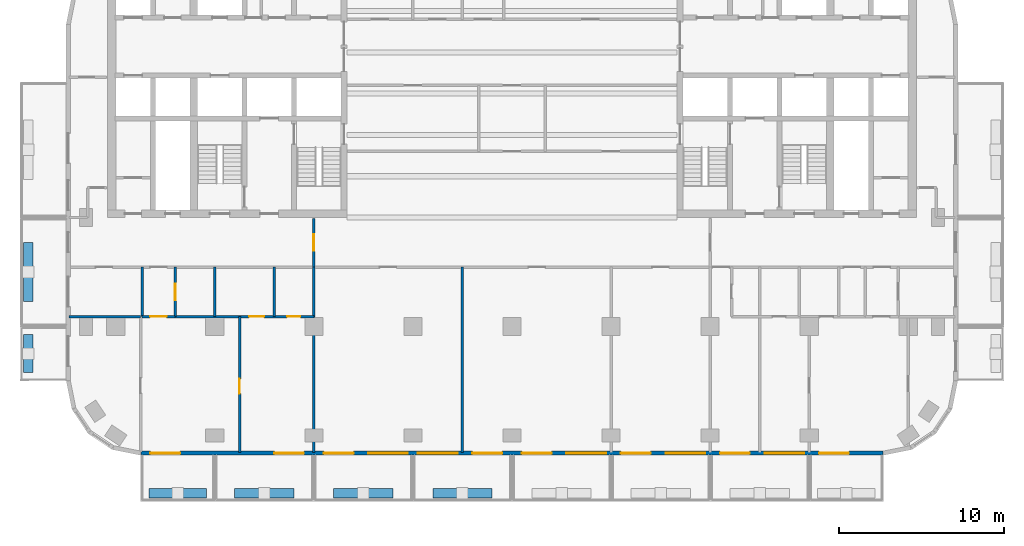
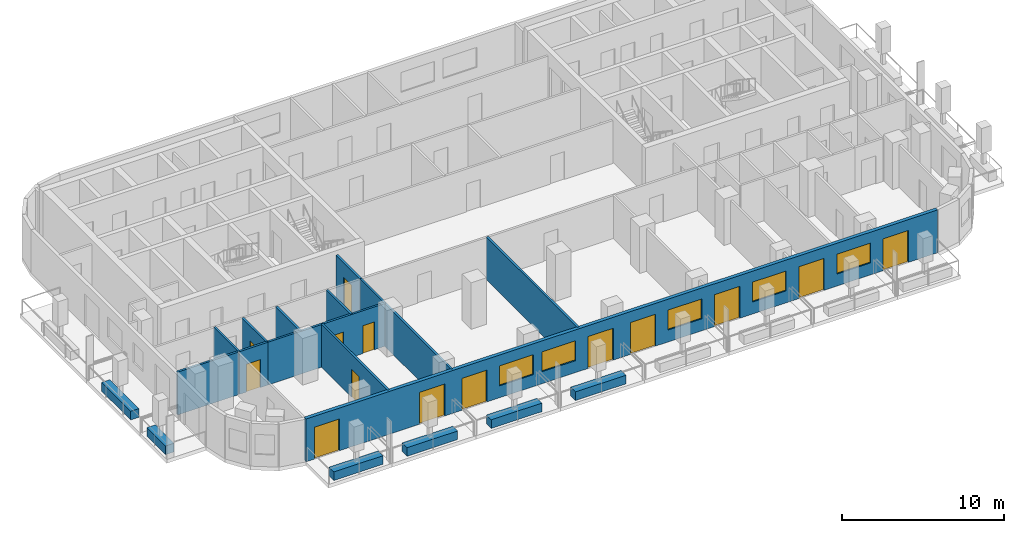
# One storey, part 2 of 11: 18 walls, 14 doors, 5 windows, 19 openings.
"""IFC4 building model written with IfcOpenShell, lengths in metres."""

from ifc_helpers import new_model, si_unit, direction, frame, frame_2d, origin, place, context, subcontext, project, spatial, rectangle, extrude, material, layer, layer_set, type_object, element, fill, save


model = new_model("IFC4")

# Units and contexts
model_context = context("Model", 3, precision=1e-05, world=origin(), true_north=direction((0.0, 1.0)))
body_context = subcontext(model_context, "Body", "Model", "MODEL_VIEW")
ifc_project = project(units=[si_unit("LENGTHUNIT", "METRE"), si_unit("AREAUNIT", "SQUARE_METRE"), si_unit("VOLUMEUNIT", "CUBIC_METRE"), si_unit("PLANEANGLEUNIT", "RADIAN"), si_unit("MASSUNIT", "GRAM", prefix="KILO")], contexts=[model_context])

# Site, building, storey
site_placement = place(None, origin())
site = spatial("IfcSite", under=ifc_project, at=site_placement, CompositionType="ELEMENT")
building_placement = place(site_placement, origin())
building = spatial("IfcBuilding", under=site, at=building_placement, Name="Torana Hotel and Residences", CompositionType="ELEMENT")
storey_placement = place(building_placement, frame((0.0, 0.0, 225.60009765625)))
storey = spatial("IfcBuildingStorey", under=building, at=storey_placement, Name="L59", CompositionType="ELEMENT", Elevation=225.60009765625)

# Wall, openings, doors, windows
ifc_material_1 = material(Name="Black aluminium composite panel", Category="aluminium")
ifc_layer_1 = layer(ifc_material_1, 0.00390625, Name="Cladding", Category="cladding")
ifc_material_2 = material(Name="Ventilated air cavity")
ifc_layer_2 = layer(ifc_material_2, 0.0400390625, Name="Ventilated cavity", Category="cavity")
ifc_material_3 = material(Name="Mineral wool insulation")
ifc_layer_3 = layer(ifc_material_3, 0.090087890625, Name="Insulation", Category="insulation")
ifc_material_4 = material(Name="Steel S280GD", Category="steel")
ifc_layer_4 = layer(ifc_material_4, 0.092041015625, Name="Steel stud frame", Category="structure")
ifc_material_5 = material(Name="Fire rated plasterboard")
ifc_layer_5 = layer(ifc_material_5, 0.011962890625, Name="Inner board", Category="finish")
ifc_layer_6 = layer(ifc_material_5, 0.011962890625, Name="Second board", Category="finish")
ifc_layer_set_1 = layer_set([ifc_layer_1, ifc_layer_2, ifc_layer_3, ifc_layer_4, ifc_layer_5, ifc_layer_6], Name="EW1 EXTERNAL WALL BLACK METAL CLAD 250")
wall_type_1 = type_object("IfcWallType", Name="EW1 EXTERNAL WALL BLACK METAL CLAD 250", PredefinedType="SOLIDWALL", material=ifc_layer_set_1)
wall_1_placement = place(storey_placement, frame((-22.475341796875, -29.27490234375, 0.0), z_axis=(0.0, 0.0, 1.0), x_axis=(1.0, 0.0, 0.0)))
wall_1 = element("IfcWall", 1, at=wall_1_placement, inside=storey, type_object=wall_type_1, Name="External wall L59 e0.14", PredefinedType="SOLIDWALL", context=body_context, shape_type="SweptSolid", body=[
    extrude(rectangle(XDim=44.95068359375, YDim=0.25, at=frame_2d((22.475341796875, 0.0))), origin(), (0.0, 0.0, 1.0), 3.219970703125),
])
opening_1_placement = place(wall_1_placement, frame((0.575439453125, 0.0, 0.0)))
opening_1 = element("IfcOpeningElement", 2, at=opening_1_placement, cuts=wall_1, Name="Opening L59-E01", PredefinedType="OPENING", context=body_context, shape_type="SweptSolid", body=[
    extrude(rectangle(XDim=1.800048828125, YDim=2.39990234375, at=frame_2d((0.89990234375, 1.199951171875))), frame((0.0, 0.135009765625, 0.0), z_axis=(0.0, -1.0, 0.0), x_axis=(1.0, 0.0, 0.0)), (0.0, 0.0, 1.0), 0.27001953125),
])
opening_2_placement = place(wall_1_placement, frame((8.075439453125, 0.0, 0.0)))
opening_2 = element("IfcOpeningElement", 3, at=opening_2_placement, cuts=wall_1, Name="Opening L59-E02", PredefinedType="OPENING", context=body_context, shape_type="SweptSolid", body=[
    extrude(rectangle(XDim=1.800048828125, YDim=2.39990234375, at=frame_2d((0.89990234375, 1.199951171875))), frame((0.0, 0.135009765625, 0.0), z_axis=(0.0, -1.0, 0.0), x_axis=(1.0, 0.0, 0.0)), (0.0, 0.0, 1.0), 0.27001953125),
])
opening_3_placement = place(wall_1_placement, frame((11.075439453125, 0.0, 0.0)))
opening_3 = element("IfcOpeningElement", 4, at=opening_3_placement, cuts=wall_1, Name="Opening L59-E03", PredefinedType="OPENING", context=body_context, shape_type="SweptSolid", body=[
    extrude(rectangle(XDim=1.800048828125, YDim=2.39990234375, at=frame_2d((0.89990234375, 1.199951171875))), frame((0.0, 0.135009765625, 0.0), z_axis=(0.0, -1.0, 0.0), x_axis=(1.0, 0.0, 0.0)), (0.0, 0.0, 1.0), 0.27001953125),
])
opening_4_placement = place(wall_1_placement, frame((13.775390625, 0.0, 0.89990234375)))
opening_4 = element("IfcOpeningElement", 5, at=opening_4_placement, cuts=wall_1, Name="Opening W3", PredefinedType="OPENING", context=body_context, shape_type="SweptSolid", body=[
    extrude(rectangle(XDim=2.39990234375, YDim=1.5, at=frame_2d((1.199951171875, 0.75))), frame((0.0, 0.135009765625, 0.0), z_axis=(0.0, -1.0, 0.0), x_axis=(1.0, 0.0, 0.0)), (0.0, 0.0, 1.0), 0.27001953125),
])
opening_5_placement = place(wall_1_placement, frame((16.775390625, 0.0, 0.89990234375)))
opening_5 = element("IfcOpeningElement", 6, at=opening_5_placement, cuts=wall_1, Name="Opening W3", PredefinedType="OPENING", context=body_context, shape_type="SweptSolid", body=[
    extrude(rectangle(XDim=2.39990234375, YDim=1.5, at=frame_2d((1.199951171875, 0.75))), frame((0.0, 0.135009765625, 0.0), z_axis=(0.0, -1.0, 0.0), x_axis=(1.0, 0.0, 0.0)), (0.0, 0.0, 1.0), 0.27001953125),
])
opening_6_placement = place(wall_1_placement, frame((20.075439453125, 0.0, 0.0)))
opening_6 = element("IfcOpeningElement", 7, at=opening_6_placement, cuts=wall_1, Name="Opening L59-E04", PredefinedType="OPENING", context=body_context, shape_type="SweptSolid", body=[
    extrude(rectangle(XDim=1.800048828125, YDim=2.39990234375, at=frame_2d((0.89990234375, 1.199951171875))), frame((0.0, 0.135009765625, 0.0), z_axis=(0.0, -1.0, 0.0), x_axis=(1.0, 0.0, 0.0)), (0.0, 0.0, 1.0), 0.27001953125),
])
opening_7_placement = place(wall_1_placement, frame((23.075439453125, 0.0, 0.0)))
opening_7 = element("IfcOpeningElement", 8, at=opening_7_placement, cuts=wall_1, Name="Opening L59-E05", PredefinedType="OPENING", context=body_context, shape_type="SweptSolid", body=[
    extrude(rectangle(XDim=1.800048828125, YDim=2.39990234375, at=frame_2d((0.89990234375, 1.199951171875))), frame((0.0, 0.135009765625, 0.0), z_axis=(0.0, -1.0, 0.0), x_axis=(1.0, 0.0, 0.0)), (0.0, 0.0, 1.0), 0.27001953125),
])
opening_8_placement = place(wall_1_placement, frame((25.775390625, 0.0, 0.89990234375)))
opening_8 = element("IfcOpeningElement", 9, at=opening_8_placement, cuts=wall_1, Name="Opening W3", PredefinedType="OPENING", context=body_context, shape_type="SweptSolid", body=[
    extrude(rectangle(XDim=2.39990234375, YDim=1.5, at=frame_2d((1.199951171875, 0.75))), frame((0.0, 0.135009765625, 0.0), z_axis=(0.0, -1.0, 0.0), x_axis=(1.0, 0.0, 0.0)), (0.0, 0.0, 1.0), 0.27001953125),
])
opening_9_placement = place(wall_1_placement, frame((29.075439453125, 0.0, 0.0)))
opening_9 = element("IfcOpeningElement", 10, at=opening_9_placement, cuts=wall_1, Name="Opening L59-E06", PredefinedType="OPENING", context=body_context, shape_type="SweptSolid", body=[
    extrude(rectangle(XDim=1.800048828125, YDim=2.39990234375, at=frame_2d((0.89990234375, 1.199951171875))), frame((0.0, 0.135009765625, 0.0), z_axis=(0.0, -1.0, 0.0), x_axis=(1.0, 0.0, 0.0)), (0.0, 0.0, 1.0), 0.27001953125),
])
opening_10_placement = place(wall_1_placement, frame((31.775390625, 0.0, 0.89990234375)))
opening_10 = element("IfcOpeningElement", 11, at=opening_10_placement, cuts=wall_1, Name="Opening W3", PredefinedType="OPENING", context=body_context, shape_type="SweptSolid", body=[
    extrude(rectangle(XDim=2.39990234375, YDim=1.5, at=frame_2d((1.199951171875, 0.75))), frame((0.0, 0.135009765625, 0.0), z_axis=(0.0, -1.0, 0.0), x_axis=(1.0, 0.0, 0.0)), (0.0, 0.0, 1.0), 0.27001953125),
])
opening_11_placement = place(wall_1_placement, frame((35.075439453125, 0.0, 0.0)))
opening_11 = element("IfcOpeningElement", 12, at=opening_11_placement, cuts=wall_1, Name="Opening L59-E07", PredefinedType="OPENING", context=body_context, shape_type="SweptSolid", body=[
    extrude(rectangle(XDim=1.800048828125, YDim=2.39990234375, at=frame_2d((0.89990234375, 1.199951171875))), frame((0.0, 0.135009765625, 0.0), z_axis=(0.0, -1.0, 0.0), x_axis=(1.0, 0.0, 0.0)), (0.0, 0.0, 1.0), 0.27001953125),
])
opening_12_placement = place(wall_1_placement, frame((37.775390625, 0.0, 0.89990234375)))
opening_12 = element("IfcOpeningElement", 13, at=opening_12_placement, cuts=wall_1, Name="Opening W3", PredefinedType="OPENING", context=body_context, shape_type="SweptSolid", body=[
    extrude(rectangle(XDim=2.39990234375, YDim=1.5, at=frame_2d((1.199951171875, 0.75))), frame((0.0, 0.135009765625, 0.0), z_axis=(0.0, -1.0, 0.0), x_axis=(1.0, 0.0, 0.0)), (0.0, 0.0, 1.0), 0.27001953125),
])
opening_13_placement = place(wall_1_placement, frame((41.075439453125, 0.0, 0.0)))
opening_13 = element("IfcOpeningElement", 14, at=opening_13_placement, cuts=wall_1, Name="Opening L59-E08", PredefinedType="OPENING", context=body_context, shape_type="SweptSolid", body=[
    extrude(rectangle(XDim=1.800048828125, YDim=2.39990234375, at=frame_2d((0.89990234375, 1.199951171875))), frame((0.0, 0.135009765625, 0.0), z_axis=(0.0, -1.0, 0.0), x_axis=(1.0, 0.0, 0.0)), (0.0, 0.0, 1.0), 0.27001953125),
])
ifc_material_6 = material(Name="Dark glass in black aluminium frame", Category="aluminium")
door_type_1 = type_object("IfcDoorType", Name="DB1 BALCONY DOOR 1800x2400", OperationType="DOUBLE_DOOR_SINGLE_SWING", PredefinedType="DOOR", material=ifc_material_6)
door_1_placement = place(opening_1_placement, origin())
door_1 = element("IfcDoor", 15, at=door_1_placement, inside=storey, type_object=door_type_1, Name="Balcony door L59", OperationType="DOUBLE_DOOR_SINGLE_SWING", OverallHeight=2.39990234375, OverallWidth=1.800048828125, PredefinedType="DOOR", context=body_context, shape_type="SweptSolid", body=[
    extrude(rectangle(XDim=1.800048828125, YDim=2.39990234375, at=frame_2d((0.89990234375, 1.199951171875))), frame((0.0, 0.02490234375, 0.0), z_axis=(0.0, -1.0, 0.0), x_axis=(1.0, 0.0, 0.0)), (0.0, 0.0, 1.0), 0.050048828125),
])
fill(opening_1, door_1)
door_2_placement = place(opening_2_placement, origin())
door_2 = element("IfcDoor", 16, at=door_2_placement, inside=storey, type_object=door_type_1, Name="Balcony door L59", OperationType="DOUBLE_DOOR_SINGLE_SWING", OverallHeight=2.39990234375, OverallWidth=1.800048828125, PredefinedType="DOOR", context=body_context, shape_type="SweptSolid", body=[
    extrude(rectangle(XDim=1.800048828125, YDim=2.39990234375, at=frame_2d((0.89990234375, 1.199951171875))), frame((0.0, 0.02490234375, 0.0), z_axis=(0.0, -1.0, 0.0), x_axis=(1.0, 0.0, 0.0)), (0.0, 0.0, 1.0), 0.050048828125),
])
fill(opening_2, door_2)
door_3_placement = place(opening_3_placement, origin())
door_3 = element("IfcDoor", 17, at=door_3_placement, inside=storey, type_object=door_type_1, Name="Balcony door L59", OperationType="DOUBLE_DOOR_SINGLE_SWING", OverallHeight=2.39990234375, OverallWidth=1.800048828125, PredefinedType="DOOR", context=body_context, shape_type="SweptSolid", body=[
    extrude(rectangle(XDim=1.800048828125, YDim=2.39990234375, at=frame_2d((0.89990234375, 1.199951171875))), frame((0.0, 0.02490234375, 0.0), z_axis=(0.0, -1.0, 0.0), x_axis=(1.0, 0.0, 0.0)), (0.0, 0.0, 1.0), 0.050048828125),
])
fill(opening_3, door_3)
door_4_placement = place(opening_6_placement, origin())
door_4 = element("IfcDoor", 18, at=door_4_placement, inside=storey, type_object=door_type_1, Name="Balcony door L59", OperationType="DOUBLE_DOOR_SINGLE_SWING", OverallHeight=2.39990234375, OverallWidth=1.800048828125, PredefinedType="DOOR", context=body_context, shape_type="SweptSolid", body=[
    extrude(rectangle(XDim=1.800048828125, YDim=2.39990234375, at=frame_2d((0.89990234375, 1.199951171875))), frame((0.0, 0.02490234375, 0.0), z_axis=(0.0, -1.0, 0.0), x_axis=(1.0, 0.0, 0.0)), (0.0, 0.0, 1.0), 0.050048828125),
])
fill(opening_6, door_4)
door_5_placement = place(opening_7_placement, origin())
door_5 = element("IfcDoor", 19, at=door_5_placement, inside=storey, type_object=door_type_1, Name="Balcony door L59", OperationType="DOUBLE_DOOR_SINGLE_SWING", OverallHeight=2.39990234375, OverallWidth=1.800048828125, PredefinedType="DOOR", context=body_context, shape_type="SweptSolid", body=[
    extrude(rectangle(XDim=1.800048828125, YDim=2.39990234375, at=frame_2d((0.89990234375, 1.199951171875))), frame((0.0, 0.02490234375, 0.0), z_axis=(0.0, -1.0, 0.0), x_axis=(1.0, 0.0, 0.0)), (0.0, 0.0, 1.0), 0.050048828125),
])
fill(opening_7, door_5)
door_6_placement = place(opening_9_placement, origin())
door_6 = element("IfcDoor", 20, at=door_6_placement, inside=storey, type_object=door_type_1, Name="Balcony door L59", OperationType="DOUBLE_DOOR_SINGLE_SWING", OverallHeight=2.39990234375, OverallWidth=1.800048828125, PredefinedType="DOOR", context=body_context, shape_type="SweptSolid", body=[
    extrude(rectangle(XDim=1.800048828125, YDim=2.39990234375, at=frame_2d((0.89990234375, 1.199951171875))), frame((0.0, 0.02490234375, 0.0), z_axis=(0.0, -1.0, 0.0), x_axis=(1.0, 0.0, 0.0)), (0.0, 0.0, 1.0), 0.050048828125),
])
fill(opening_9, door_6)
door_7_placement = place(opening_11_placement, origin())
door_7 = element("IfcDoor", 21, at=door_7_placement, inside=storey, type_object=door_type_1, Name="Balcony door L59", OperationType="DOUBLE_DOOR_SINGLE_SWING", OverallHeight=2.39990234375, OverallWidth=1.800048828125, PredefinedType="DOOR", context=body_context, shape_type="SweptSolid", body=[
    extrude(rectangle(XDim=1.800048828125, YDim=2.39990234375, at=frame_2d((0.89990234375, 1.199951171875))), frame((0.0, 0.02490234375, 0.0), z_axis=(0.0, -1.0, 0.0), x_axis=(1.0, 0.0, 0.0)), (0.0, 0.0, 1.0), 0.050048828125),
])
fill(opening_11, door_7)
door_8_placement = place(opening_13_placement, origin())
door_8 = element("IfcDoor", 22, at=door_8_placement, inside=storey, type_object=door_type_1, Name="Balcony door L59", OperationType="DOUBLE_DOOR_SINGLE_SWING", OverallHeight=2.39990234375, OverallWidth=1.800048828125, PredefinedType="DOOR", context=body_context, shape_type="SweptSolid", body=[
    extrude(rectangle(XDim=1.800048828125, YDim=2.39990234375, at=frame_2d((0.89990234375, 1.199951171875))), frame((0.0, 0.02490234375, 0.0), z_axis=(0.0, -1.0, 0.0), x_axis=(1.0, 0.0, 0.0)), (0.0, 0.0, 1.0), 0.050048828125),
])
fill(opening_13, door_8)
ifc_material_7 = material(Name="Dark glass in black aluminium frame", Category="aluminium")
window_type = type_object("IfcWindowType", Name="W3 RESIDENCE WINDOW 2400x1500", PartitioningType="SINGLE_PANEL", PredefinedType="WINDOW", material=ifc_material_7)
window_1_placement = place(opening_4_placement, origin())
window_1 = element("IfcWindow", 23, at=window_1_placement, inside=storey, type_object=window_type, Name="Window L59", OverallHeight=1.5, OverallWidth=2.39990234375, PartitioningType="SINGLE_PANEL", PredefinedType="WINDOW", context=body_context, shape_type="SweptSolid", body=[
    extrude(rectangle(XDim=2.39990234375, YDim=1.5, at=frame_2d((1.199951171875, 0.75))), frame((0.0, 0.030029296875, 0.0), z_axis=(0.0, -1.0, 0.0), x_axis=(1.0, 0.0, 0.0)), (0.0, 0.0, 1.0), 0.06005859375),
])
fill(opening_4, window_1)
window_2_placement = place(opening_5_placement, origin())
window_2 = element("IfcWindow", 24, at=window_2_placement, inside=storey, type_object=window_type, Name="Window L59", OverallHeight=1.5, OverallWidth=2.39990234375, PartitioningType="SINGLE_PANEL", PredefinedType="WINDOW", context=body_context, shape_type="SweptSolid", body=[
    extrude(rectangle(XDim=2.39990234375, YDim=1.5, at=frame_2d((1.199951171875, 0.75))), frame((0.0, 0.030029296875, 0.0), z_axis=(0.0, -1.0, 0.0), x_axis=(1.0, 0.0, 0.0)), (0.0, 0.0, 1.0), 0.06005859375),
])
fill(opening_5, window_2)
window_3_placement = place(opening_8_placement, origin())
window_3 = element("IfcWindow", 25, at=window_3_placement, inside=storey, type_object=window_type, Name="Window L59", OverallHeight=1.5, OverallWidth=2.39990234375, PartitioningType="SINGLE_PANEL", PredefinedType="WINDOW", context=body_context, shape_type="SweptSolid", body=[
    extrude(rectangle(XDim=2.39990234375, YDim=1.5, at=frame_2d((1.199951171875, 0.75))), frame((0.0, 0.030029296875, 0.0), z_axis=(0.0, -1.0, 0.0), x_axis=(1.0, 0.0, 0.0)), (0.0, 0.0, 1.0), 0.06005859375),
])
fill(opening_8, window_3)
window_4_placement = place(opening_10_placement, origin())
window_4 = element("IfcWindow", 26, at=window_4_placement, inside=storey, type_object=window_type, Name="Window L59", OverallHeight=1.5, OverallWidth=2.39990234375, PartitioningType="SINGLE_PANEL", PredefinedType="WINDOW", context=body_context, shape_type="SweptSolid", body=[
    extrude(rectangle(XDim=2.39990234375, YDim=1.5, at=frame_2d((1.199951171875, 0.75))), frame((0.0, 0.030029296875, 0.0), z_axis=(0.0, -1.0, 0.0), x_axis=(1.0, 0.0, 0.0)), (0.0, 0.0, 1.0), 0.06005859375),
])
fill(opening_10, window_4)
window_5_placement = place(opening_12_placement, origin())
window_5 = element("IfcWindow", 27, at=window_5_placement, inside=storey, type_object=window_type, Name="Window L59", OverallHeight=1.5, OverallWidth=2.39990234375, PartitioningType="SINGLE_PANEL", PredefinedType="WINDOW", context=body_context, shape_type="SweptSolid", body=[
    extrude(rectangle(XDim=2.39990234375, YDim=1.5, at=frame_2d((1.199951171875, 0.75))), frame((0.0, 0.030029296875, 0.0), z_axis=(0.0, -1.0, 0.0), x_axis=(1.0, 0.0, 0.0)), (0.0, 0.0, 1.0), 0.06005859375),
])
fill(opening_12, window_5)

# Wall, opening, door
ifc_material_8 = material(Name="Gypsum plaster")
ifc_layer_7 = layer(ifc_material_8, 0.014892578125, Name="Plaster", Category="finish")
ifc_material_9 = material(Name="Concrete blockwork", Category="masonry")
ifc_layer_8 = layer(ifc_material_9, 0.1201171875, Name="Blockwork", Category="structure")
ifc_layer_9 = layer(ifc_material_8, 0.014892578125, Name="Plaster", Category="finish")
ifc_layer_set_2 = layer_set([ifc_layer_7, ifc_layer_8, ifc_layer_9], Name="FIRE PARTITION 150 BLOCKWORK")
wall_type_2 = type_object("IfcWallType", Name="FIRE PARTITION 150 BLOCKWORK", PredefinedType="PARTITIONING", material=ifc_layer_set_2)
wall_2_placement = place(storey_placement, frame((-12.0, -18.0, 0.0), z_axis=(0.0, 0.0, 1.0), x_axis=(0.0, 1.0, 0.0)))
wall_2 = element("IfcWall", 28, at=wall_2_placement, inside=storey, type_object=wall_type_2, Name="Partition L59", PredefinedType="PARTITIONING", context=body_context, shape_type="SweptSolid", body=[
    extrude(rectangle(XDim=2.949951171875, YDim=0.14990234375, at=frame_2d((1.47509765625, 0.0))), origin(), (0.0, 0.0, 1.0), 3.219970703125),
])
opening_14_placement = place(wall_2_placement, frame((1.0, 0.0, 0.0)))
opening_14 = element("IfcOpeningElement", 29, at=opening_14_placement, cuts=wall_2, Name="Opening L59-31", PredefinedType="OPENING", context=body_context, shape_type="SweptSolid", body=[
    extrude(rectangle(XDim=1.0, YDim=2.10009765625, at=frame_2d((0.5, 1.050048828125))), frame((0.0, 0.0849609375, 0.0), z_axis=(0.0, -1.0, 0.0), x_axis=(1.0, 0.0, 0.0)), (0.0, 0.0, 1.0), 0.169921875),
])
ifc_material_10 = material(Name="Steel S235", Category="steel")
door_type_2 = type_object("IfcDoorType", Name="ENTRY FIRE DOOR D6 1000x2100", OperationType="SINGLE_SWING_LEFT", PredefinedType="DOOR", material=ifc_material_10)
door_9_placement = place(opening_14_placement, origin())
door_9 = element("IfcDoor", 30, at=door_9_placement, inside=storey, type_object=door_type_2, Name="Door L59", OperationType="SINGLE_SWING_RIGHT", OverallHeight=2.10009765625, OverallWidth=1.0, PredefinedType="DOOR", context=body_context, shape_type="SweptSolid", body=[
    extrude(rectangle(XDim=1.0, YDim=2.10009765625, at=frame_2d((0.5, 1.050048828125))), frame((0.0, 0.02490234375, 0.0), z_axis=(0.0, -1.0, 0.0), x_axis=(1.0, 0.0, 0.0)), (0.0, 0.0, 1.0), 0.050048828125),
])
fill(opening_14, door_9)

wall_3_placement = place(storey_placement, frame((-20.39990234375, -21.0, 0.0), z_axis=(0.0, 0.0, 1.0), x_axis=(0.0, 1.0, 0.0)))
wall_3 = element("IfcWall", 31, at=wall_3_placement, inside=storey, type_object=wall_type_2, Name="Partition L59", PredefinedType="PARTITIONING", context=body_context, shape_type="SweptSolid", body=[
    extrude(rectangle(XDim=3.0, YDim=0.14990234375, at=frame_2d((1.5, 0.0))), origin(), (0.0, 0.0, 1.0), 3.219970703125),
])
opening_15_placement = place(wall_3_placement, frame((1.0, 0.0, 0.0)))
opening_15 = element("IfcOpeningElement", 32, at=opening_15_placement, cuts=wall_3, Name="Opening L59-54", PredefinedType="OPENING", context=body_context, shape_type="SweptSolid", body=[
    extrude(rectangle(XDim=1.0, YDim=2.10009765625, at=frame_2d((0.5, 1.050048828125))), frame((0.0, 0.0849609375, 0.0), z_axis=(0.0, -1.0, 0.0), x_axis=(1.0, 0.0, 0.0)), (0.0, 0.0, 1.0), 0.169921875),
])
door_10_placement = place(opening_15_placement, frame((0.5, 0.0, 0.0), z_axis=(0.0, 0.0, 1.0), x_axis=(-1.0, 0.0, 0.0)))
door_10 = element("IfcDoor", 33, at=door_10_placement, inside=storey, type_object=door_type_2, Name="Door L59", OperationType="SINGLE_SWING_LEFT", OverallHeight=2.10009765625, OverallWidth=1.0, PredefinedType="DOOR", context=body_context, shape_type="SweptSolid", body=[
    extrude(rectangle(XDim=1.0, YDim=2.10009765625, at=frame_2d((0.0, 1.050048828125))), frame((0.0, -0.02490234375, 0.0), z_axis=(0.0, 1.0, 0.0), x_axis=(-1.0, 0.0, 0.0)), (0.0, 0.0, 1.0), 0.050048828125),
])
fill(opening_15, door_10)

# Wall
wall_4_placement = place(storey_placement, frame((-22.39990234375, -21.0, 0.0), z_axis=(0.0, 0.0, 1.0), x_axis=(0.0, 1.0, 0.0)))
element("IfcWall", 34, at=wall_4_placement, inside=storey, type_object=wall_type_2, Name="Partition L59", PredefinedType="PARTITIONING", context=body_context, shape_type="SweptSolid", body=[
    extrude(rectangle(XDim=3.0, YDim=0.14990234375, at=frame_2d((1.5, 0.0))), origin(), (0.0, 0.0, 1.0), 3.219970703125),
])

# Wall, opening, door
wall_5_placement = place(storey_placement, frame((-22.39990234375, -21.0, 0.0), z_axis=(0.0, 0.0, 1.0), x_axis=(1.0, 0.0, 0.0)))
wall_5 = element("IfcWall", 35, at=wall_5_placement, inside=storey, type_object=wall_type_2, Name="Partition L59", PredefinedType="PARTITIONING", context=body_context, shape_type="SweptSolid", body=[
    extrude(rectangle(XDim=2.0, YDim=0.14990234375, at=frame_2d((1.0, 0.0))), origin(), (0.0, 0.0, 1.0), 3.219970703125),
])
opening_16_placement = place(wall_5_placement, frame((0.47998046875, 0.0, 0.0)))
opening_16 = element("IfcOpeningElement", 36, at=opening_16_placement, cuts=wall_5, Name="Opening L59-55", PredefinedType="OPENING", context=body_context, shape_type="SweptSolid", body=[
    extrude(rectangle(XDim=1.0, YDim=2.10009765625, at=frame_2d((0.5, 1.050048828125))), frame((0.0, 0.0849609375, 0.0), z_axis=(0.0, -1.0, 0.0), x_axis=(1.0, 0.0, 0.0)), (0.0, 0.0, 1.0), 0.169921875),
])
door_11_placement = place(opening_16_placement, frame((0.5, 0.0, 0.0), z_axis=(0.0, 0.0, 1.0), x_axis=(-1.0, 0.0, 0.0)))
door_11 = element("IfcDoor", 37, at=door_11_placement, inside=storey, type_object=door_type_2, Name="Door L59", OperationType="SINGLE_SWING_LEFT", OverallHeight=2.10009765625, OverallWidth=1.0, PredefinedType="DOOR", context=body_context, shape_type="SweptSolid", body=[
    extrude(rectangle(XDim=1.0, YDim=2.10009765625, at=frame_2d((0.0, 1.050048828125))), frame((0.0, -0.02490234375, 0.0), z_axis=(0.0, 1.0, 0.0), x_axis=(-1.0, 0.0, 0.0)), (0.0, 0.0, 1.0), 0.050048828125),
])
fill(opening_16, door_11)

# Walls
ifc_material_11 = material(Name="Gypsum plasterboard")
ifc_layer_10 = layer(ifc_material_11, 0.012451171875, Name="Plasterboard", Category="finish")
ifc_layer_11 = layer(ifc_material_11, 0.012451171875, Name="Plasterboard", Category="finish")
ifc_layer_12 = layer(ifc_material_4, 0.10009765625, Name="Steel studs with mineral wool", Category="insulation")
ifc_layer_13 = layer(ifc_material_11, 0.012451171875, Name="Plasterboard", Category="finish")
ifc_layer_14 = layer(ifc_material_11, 0.012451171875, Name="Plasterboard", Category="finish")
ifc_layer_set_3 = layer_set([ifc_layer_10, ifc_layer_11, ifc_layer_12, ifc_layer_13, ifc_layer_14], Name="PARTITION 150 PLASTERBOARD")
wall_type_3 = type_object("IfcWallType", Name="PARTITION 150 PLASTERBOARD", PredefinedType="PARTITIONING", material=ifc_layer_set_3)
for number, where, z_axis, x_axis, name in (
    (38, (-3.0, -29.219970703125, 0.0), (0.0, 0.0, 1.0), (0.0, 1.0, 0.0), "Partition L59"),
    (39, (-12.0, -29.219970703125, 0.0), (0.0, 0.0, 1.0), (0.0, 1.0, 0.0), "Partition L59"),
):
    element("IfcWall", number, at=place(storey_placement, frame(where, z_axis=z_axis, x_axis=x_axis)), inside=storey, type_object=wall_type_3, Name=name, PredefinedType="PARTITIONING", context=body_context, shape_type="SweptSolid", body=[
        extrude(rectangle(XDim=11.219970703125, YDim=0.14990234375, at=frame_2d((5.60986328125, 0.0))), origin(), (0.0, 0.0, 1.0), 3.219970703125),
    ])
wall_6_placement = place(storey_placement, frame((-14.39990234375, -21.0, 0.0), z_axis=(0.0, 0.0, 1.0), x_axis=(0.0, 1.0, 0.0)))
element("IfcWall", 40, at=wall_6_placement, inside=storey, type_object=wall_type_3, Name="Partition L59", PredefinedType="PARTITIONING", context=body_context, shape_type="SweptSolid", body=[
    extrude(rectangle(XDim=3.0, YDim=0.14990234375, at=frame_2d((1.5, 0.0))), origin(), (0.0, 0.0, 1.0), 3.219970703125),
])

# Wall, opening, door
wall_7_placement = place(storey_placement, frame((-16.5, -29.219970703125, 0.0), z_axis=(0.0, 0.0, 1.0), x_axis=(0.0, 1.0, 0.0)))
wall_7 = element("IfcWall", 41, at=wall_7_placement, inside=storey, type_object=wall_type_3, Name="Partition L59", PredefinedType="PARTITIONING", context=body_context, shape_type="SweptSolid", body=[
    extrude(rectangle(XDim=8.219970703125, YDim=0.14990234375, at=frame_2d((4.10986328125, 0.0))), origin(), (0.0, 0.0, 1.0), 3.219970703125),
])
opening_17_placement = place(wall_7_placement, frame((3.550048828125, 0.0, 0.0)))
opening_17 = element("IfcOpeningElement", 42, at=opening_17_placement, cuts=wall_7, Name="Opening L59-56", PredefinedType="OPENING", context=body_context, shape_type="SweptSolid", body=[
    extrude(rectangle(XDim=0.89990234375, YDim=2.10009765625, at=frame_2d((0.449951171875, 1.050048828125))), frame((0.0, 0.0849609375, 0.0), z_axis=(0.0, -1.0, 0.0), x_axis=(1.0, 0.0, 0.0)), (0.0, 0.0, 1.0), 0.169921875),
])
ifc_material_12 = material(Name="Timber door, oiled ash", Category="wood")
door_type_3 = type_object("IfcDoorType", Name="ROOM DOOR D7 900x2100", OperationType="SINGLE_SWING_LEFT", PredefinedType="DOOR", material=ifc_material_12)
door_12_placement = place(opening_17_placement, origin())
door_12 = element("IfcDoor", 43, at=door_12_placement, inside=storey, type_object=door_type_3, Name="Door L59", OperationType="SINGLE_SWING_RIGHT", OverallHeight=2.10009765625, OverallWidth=0.89990234375, PredefinedType="DOOR", context=body_context, shape_type="SweptSolid", body=[
    extrude(rectangle(XDim=0.89990234375, YDim=2.10009765625, at=frame_2d((0.449951171875, 1.050048828125))), frame((0.0, 0.02490234375, 0.0), z_axis=(0.0, -1.0, 0.0), x_axis=(1.0, 0.0, 0.0)), (0.0, 0.0, 1.0), 0.050048828125),
])
fill(opening_17, door_12)

# Walls
wall_8_placement = place(storey_placement, frame((-18.0, -21.0, 0.0), z_axis=(0.0, 0.0, 1.0), x_axis=(0.0, 1.0, 0.0)))
element("IfcWall", 44, at=wall_8_placement, inside=storey, type_object=wall_type_3, Name="Partition L59", PredefinedType="PARTITIONING", context=body_context, shape_type="SweptSolid", body=[
    extrude(rectangle(XDim=3.0, YDim=0.14990234375, at=frame_2d((1.5, 0.0))), origin(), (0.0, 0.0, 1.0), 3.219970703125),
])
wall_9_placement = place(storey_placement, frame((-26.820068359375, -21.0, 0.0), z_axis=(0.0, 0.0, 1.0), x_axis=(1.0, 0.0, 0.0)))
element("IfcWall", 45, at=wall_9_placement, inside=storey, type_object=wall_type_3, Name="Partition L59", PredefinedType="PARTITIONING", context=body_context, shape_type="SweptSolid", body=[
    extrude(rectangle(XDim=4.320068359375, YDim=0.14990234375, at=frame_2d((2.16015625, 0.0))), origin(), (0.0, 0.0, 1.0), 3.219970703125),
])

# Wall, openings, doors
wall_10_placement = place(storey_placement, frame((-20.39990234375, -21.0, 0.0), z_axis=(0.0, 0.0, 1.0), x_axis=(1.0, 0.0, 0.0)))
wall_10 = element("IfcWall", 46, at=wall_10_placement, inside=storey, type_object=wall_type_3, Name="Partition L59", PredefinedType="PARTITIONING", context=body_context, shape_type="SweptSolid", body=[
    extrude(rectangle(XDim=8.39990234375, YDim=0.14990234375, at=frame_2d((4.199951171875, 0.0))), origin(), (0.0, 0.0, 1.0), 3.219970703125),
])
opening_18_placement = place(wall_10_placement, frame((6.780029296875, 0.0, 0.0)))
opening_18 = element("IfcOpeningElement", 47, at=opening_18_placement, cuts=wall_10, Name="Opening L59-52", PredefinedType="OPENING", context=body_context, shape_type="SweptSolid", body=[
    extrude(rectangle(XDim=0.800048828125, YDim=2.10009765625, at=frame_2d((0.39990234375, 1.050048828125))), frame((0.0, 0.0849609375, 0.0), z_axis=(0.0, -1.0, 0.0), x_axis=(1.0, 0.0, 0.0)), (0.0, 0.0, 1.0), 0.169921875),
])
opening_19_placement = place(wall_10_placement, frame((4.47998046875, 0.0, 0.0)))
opening_19 = element("IfcOpeningElement", 48, at=opening_19_placement, cuts=wall_10, Name="Opening L59-53", PredefinedType="OPENING", context=body_context, shape_type="SweptSolid", body=[
    extrude(rectangle(XDim=0.89990234375, YDim=2.10009765625, at=frame_2d((0.449951171875, 1.050048828125))), frame((0.0, 0.0849609375, 0.0), z_axis=(0.0, -1.0, 0.0), x_axis=(1.0, 0.0, 0.0)), (0.0, 0.0, 1.0), 0.169921875),
])
ifc_material_13 = material(Name="Timber door, painted", Category="wood")
door_type_4 = type_object("IfcDoorType", Name="BATH DOOR D13 800x2100", OperationType="SINGLE_SWING_LEFT", PredefinedType="DOOR", material=ifc_material_13)
door_13_placement = place(opening_18_placement, origin())
door_13 = element("IfcDoor", 49, at=door_13_placement, inside=storey, type_object=door_type_4, Name="Door L59", OperationType="SINGLE_SWING_RIGHT", OverallHeight=2.10009765625, OverallWidth=0.800048828125, PredefinedType="DOOR", context=body_context, shape_type="SweptSolid", body=[
    extrude(rectangle(XDim=0.800048828125, YDim=2.10009765625, at=frame_2d((0.39990234375, 1.050048828125))), frame((0.0, 0.02490234375, 0.0), z_axis=(0.0, -1.0, 0.0), x_axis=(1.0, 0.0, 0.0)), (0.0, 0.0, 1.0), 0.050048828125),
])
fill(opening_18, door_13)
door_14_placement = place(opening_19_placement, origin())
door_14 = element("IfcDoor", 50, at=door_14_placement, inside=storey, type_object=door_type_3, Name="Door L59", OperationType="SINGLE_SWING_LEFT", OverallHeight=2.10009765625, OverallWidth=0.89990234375, PredefinedType="DOOR", context=body_context, shape_type="SweptSolid", body=[
    extrude(rectangle(XDim=0.89990234375, YDim=2.10009765625, at=frame_2d((0.449951171875, 1.050048828125))), frame((0.0, 0.02490234375, 0.0), z_axis=(0.0, -1.0, 0.0), x_axis=(1.0, 0.0, 0.0)), (0.0, 0.0, 1.0), 0.050048828125),
])
fill(opening_19, door_14)

# Walls
ifc_material_14 = material(Name="Concrete C40/50 precast", Category="concrete")
ifc_layer_15 = layer(ifc_material_14, 0.10009765625, Name="Planter shell", Category="structure")
ifc_material_15 = material(Name="Root resistant membrane")
ifc_layer_16 = layer(ifc_material_15, 0.00390625, Name="Waterproofing membrane", Category="membrane")
ifc_material_16 = material(Name="Drainage board with filter fleece")
ifc_layer_17 = layer(ifc_material_16, 0.02001953125, Name="Drainage board", Category="drainage")
ifc_material_17 = material(Name="Growing medium")
ifc_layer_18 = layer(ifc_material_17, 0.47607421875, Name="Planting substrate", Category="soil")
ifc_layer_set_4 = layer_set([ifc_layer_15, ifc_layer_16, ifc_layer_17, ifc_layer_18], Name="PL1 BALCONY PLANTER 600")
wall_type_4 = type_object("IfcWallType", Name="PL1 BALCONY PLANTER 600", PredefinedType="USERDEFINED", material=ifc_layer_set_4)
wall_11_placement = place(storey_placement, frame((-18.5, -31.699951171875, 0.0), z_axis=(0.0, 0.0, 1.0), x_axis=(-1.0, 0.0, 0.0)))
element("IfcWall", 51, at=wall_11_placement, inside=storey, type_object=wall_type_4, Name="Planter 01", ObjectType="PLANTER", PredefinedType="USERDEFINED", context=body_context, shape_type="SweptSolid", body=[
    extrude(rectangle(XDim=3.5, YDim=0.60009765625, at=frame_2d((1.75, 0.0))), origin(), (0.0, 0.0, 1.0), 0.64990234375),
])
for number, where, z_axis, x_axis, name in (
    (52, (-13.199951171875, -31.699951171875, 0.0), (0.0, 0.0, 1.0), (-1.0, 0.0, 0.0), "Planter 02"),
    (53, (-7.199951171875, -31.699951171875, 0.0), (0.0, 0.0, 1.0), (-1.0, 0.0, 0.0), "Planter 03"),
    (54, (-1.199951171875, -31.699951171875, 0.0), (0.0, 0.0, 1.0), (-1.0, 0.0, 0.0), "Planter 04"),
):
    element("IfcWall", number, at=place(storey_placement, frame(where, z_axis=z_axis, x_axis=x_axis)), inside=storey, type_object=wall_type_4, Name=name, ObjectType="PLANTER", PredefinedType="USERDEFINED", context=body_context, shape_type="SweptSolid", body=[
        extrude(rectangle(XDim=3.60009765625, YDim=0.60009765625, at=frame_2d((1.800048828125, 0.0))), origin(), (0.0, 0.0, 1.0), 0.64990234375),
    ])
wall_12_placement = place(storey_placement, frame((-29.300048828125, -24.39990234375, 0.0), z_axis=(0.0, 0.0, 1.0), x_axis=(0.0, 1.0, 0.0)))
element("IfcWall", 55, at=wall_12_placement, inside=storey, type_object=wall_type_4, Name="Planter 09", ObjectType="PLANTER", PredefinedType="USERDEFINED", context=body_context, shape_type="SweptSolid", body=[
    extrude(rectangle(XDim=2.2998046875, YDim=0.60009765625, at=frame_2d((1.14990234375, 0.0))), origin(), (0.0, 0.0, 1.0), 0.64990234375),
])
wall_13_placement = place(storey_placement, frame((-29.300048828125, -20.10009765625, 0.0), z_axis=(0.0, 0.0, 1.0), x_axis=(0.0, 1.0, 0.0)))
element("IfcWall", 56, at=wall_13_placement, inside=storey, type_object=wall_type_4, Name="Planter 10", ObjectType="PLANTER", PredefinedType="USERDEFINED", context=body_context, shape_type="SweptSolid", body=[
    extrude(rectangle(XDim=3.60009765625, YDim=0.60009765625, at=frame_2d((1.800048828125, 0.0))), origin(), (0.0, 0.0, 1.0), 0.64990234375),
])

save(model, "model.ifc")
